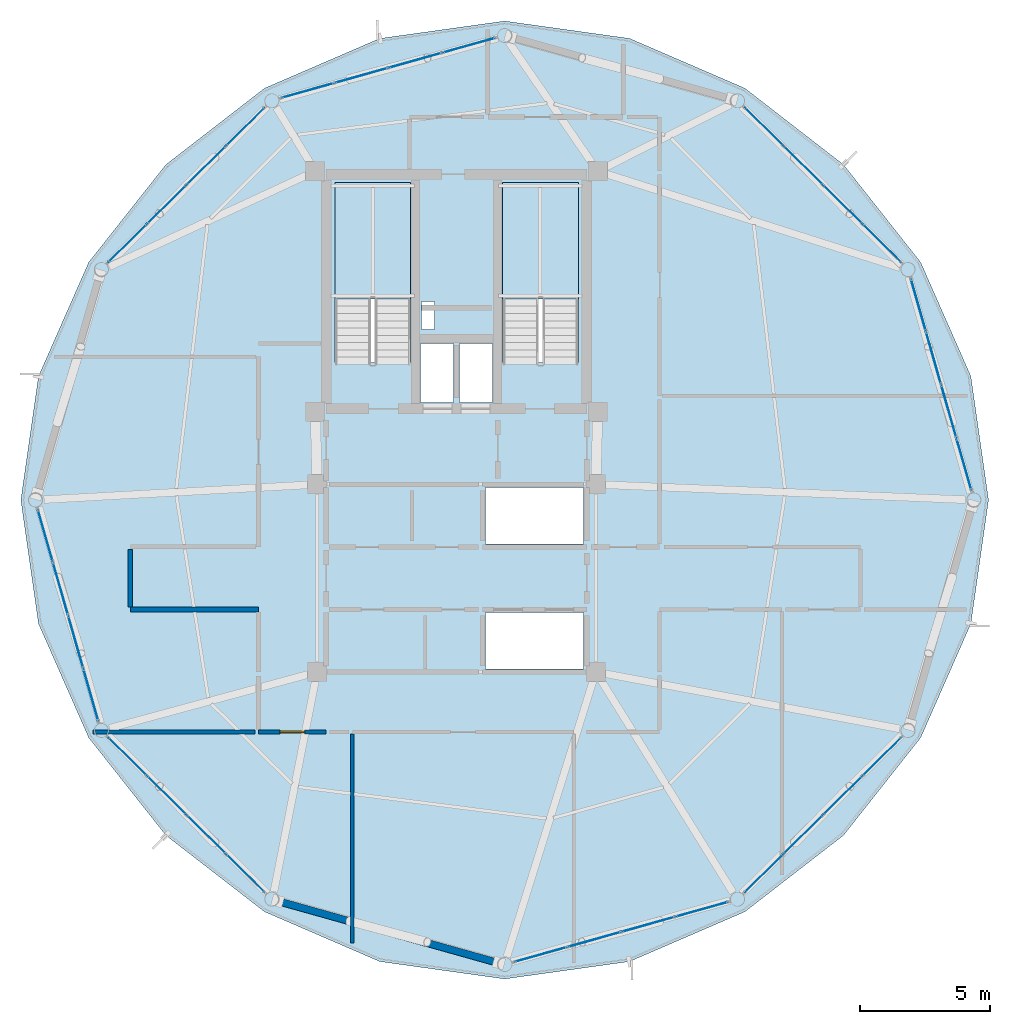
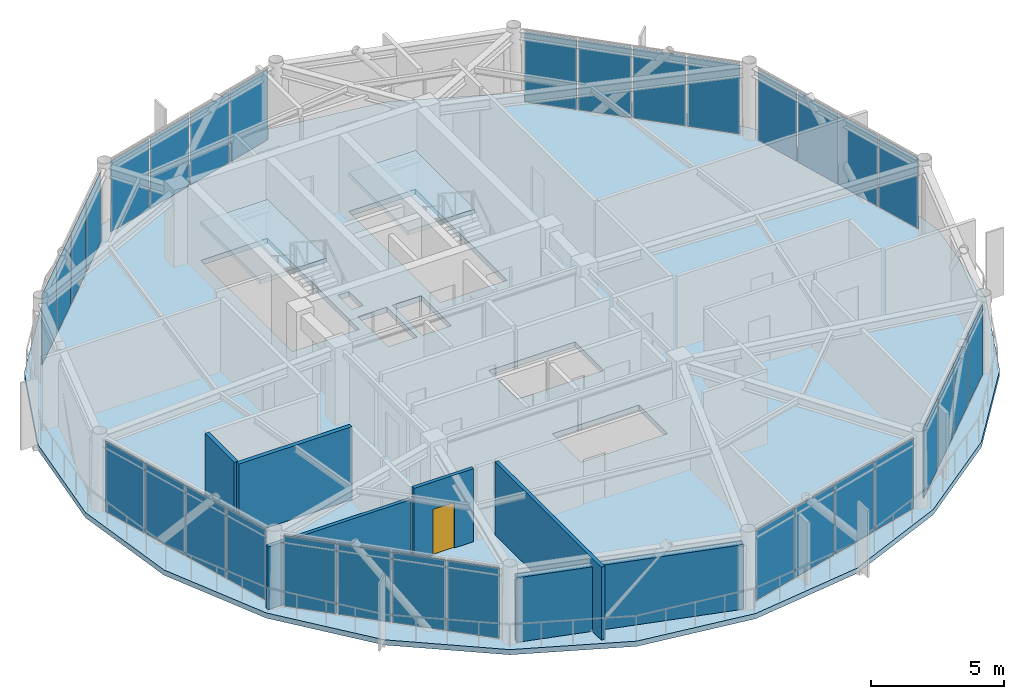
# One storey, part 18 of 24: 32 plates, 6 walls, 3 slabs, 1 door, 1 opening, 10 elements without a shape of their own.
"""IFC4 building model written with IfcOpenShell, lengths in metres."""

from ifc_helpers import new_model, si_unit, direction, frame, frame_2d, origin, origin_2d, place, context, subcontext, project, spatial, polyline, rectangle, outline, extrude, source, transform, mapped, material, layer, layer_set, type_object, type_shapes, element, fill, aggregate, save


model = new_model("IFC4")

# Units and contexts
model_context = context("Model", 3, precision=1e-05, world=origin(), true_north=direction((0.0, 1.0)))
body_context = subcontext(model_context, "Body", "Model", "MODEL_VIEW")
ifc_project = project(units=[si_unit("LENGTHUNIT", "METRE"), si_unit("AREAUNIT", "SQUARE_METRE"), si_unit("VOLUMEUNIT", "CUBIC_METRE"), si_unit("PLANEANGLEUNIT", "RADIAN"), si_unit("MASSUNIT", "GRAM", prefix="KILO")], contexts=[model_context])

# Site, building, storey
site_placement = place(None, origin())
site = spatial("IfcSite", under=ifc_project, at=site_placement, CompositionType="ELEMENT")
building_placement = place(site_placement, origin())
building = spatial("IfcBuilding", under=site, at=building_placement, Name="Varnakorn Sky Granary", CompositionType="ELEMENT")
storey_placement = place(building_placement, frame((0.0, 0.0, 274.199951171875)))
storey = spatial("IfcBuildingStorey", under=building, at=storey_placement, Name="L70", CompositionType="ELEMENT", Elevation=274.199951171875)

# Stair, slab
ifc_material_1 = material(Name="Concrete C40/50", Category="concrete")
stair_type = type_object("IfcStairType", Name="ST-MAIN-ASSEMBLY", PredefinedType="HALF_TURN_STAIR", material=ifc_material_1)
stair_1_placement = place(storey_placement, origin())
stair_1 = element("IfcStair", 1, at=stair_1_placement, inside=storey, type_object=stair_type, Name="L70 Protected Exit Stair ST-1", PredefinedType="HALF_TURN_STAIR")
ifc_layer_1 = layer(ifc_material_1, 0.199951171875, Name="Concrete C40/50")
ifc_layer_set_1 = layer_set([ifc_layer_1], Name="Concrete C40/50")
slab_type_1 = type_object("IfcSlabType", Name="ST-MAIN-LAND", PredefinedType="LANDING", material=ifc_layer_set_1)
slab_1_placement = place(storey_placement, frame((0.0, 0.0, 1.60009765625)))
slab_1 = element("IfcSlab", 2, at=slab_1_placement, type_object=slab_type_1, Name="ST-1 landing 1", PredefinedType="LANDING", context=body_context, shape_type="SweptSolid", body=[
    extrude(outline(polyline([(1.239990234375, 7.719970703125), (1.239990234375, 12.179931640625), (-1.669921875, 12.179931640625), (-1.669921875, 7.719970703125), (1.239990234375, 7.719970703125)])), origin(), (0.0, 0.0, 1.0), 0.199951171875),
])
aggregate(stair_1, [slab_1])

stair_2_placement = place(storey_placement, origin())
stair_2 = element("IfcStair", 3, at=stair_2_placement, inside=storey, type_object=stair_type, Name="L70 Protected Exit Stair ST-2", PredefinedType="HALF_TURN_STAIR")
slab_2_placement = place(storey_placement, frame((0.0, 0.0, 1.60009765625)))
slab_2 = element("IfcSlab", 4, at=slab_2_placement, type_object=slab_type_1, Name="ST-2 landing 1", PredefinedType="LANDING", context=body_context, shape_type="SweptSolid", body=[
    extrude(outline(polyline([(7.679931640625, 7.719970703125), (7.679931640625, 12.179931640625), (4.77001953125, 12.179931640625), (4.77001953125, 7.719970703125), (7.679931640625, 7.719970703125)])), origin(), (0.0, 0.0, 1.0), 0.199951171875),
])
aggregate(stair_2, [slab_2])

# Slab
ifc_material_2 = material(Name="Concrete C50/60", Category="concrete")
ifc_layer_2 = layer(ifc_material_2, 0.239990234375, Name="Concrete C50/60")
ifc_layer_set_2 = layer_set([ifc_layer_2], Name="Concrete C50/60")
slab_type_2 = type_object("IfcSlabType", Name="ST-SL-TWR-240", PredefinedType="FLOOR", material=ifc_layer_set_2)
slab_3_placement = place(storey_placement, frame((0.0, 0.0, -0.239990234375)))
element("IfcSlab", 5, at=slab_3_placement, inside=storey, type_object=slab_type_2, Name="Level L70 Structural Floor Slab", PredefinedType="FLOOR", context=body_context, shape_type="SweptSolid", body=[
    extrude(outline(polyline([(23.4208984375, 0.0), (22.74462890625, 4.74658203125), (20.81591796875, 9.125), (17.8544921875, 12.872802734375), (14.068115234375, 15.804931640625), (9.64501953125, 17.715087890625), (4.85009765625, 18.385009765625), (0.05517578125, 17.715087890625), (-4.367919921875, 15.804931640625), (-8.154296875, 12.872802734375), (-11.115966796875, 9.125), (-13.044677734375, 4.74658203125), (-13.720947265625, 0.0), (-13.044677734375, -4.74658203125), (-11.115966796875, -9.125), (-8.154296875, -12.872802734375), (-4.367919921875, -15.804931640625), (0.05517578125, -17.715087890625), (4.85009765625, -18.385009765625), (9.64501953125, -17.715087890625), (14.068115234375, -15.804931640625), (17.8544921875, -12.872802734375), (20.81591796875, -9.125), (22.74462890625, -4.74658203125), (23.4208984375, 0.0)]), holes=[polyline([(1.239990234375, 5.27490234375), (1.239990234375, 12.179931640625), (-1.669921875, 12.179931640625), (-1.669921875, 5.27490234375), (1.239990234375, 5.27490234375)]), polyline([(7.679931640625, 5.27490234375), (7.679931640625, 12.179931640625), (4.77001953125, 12.179931640625), (4.77001953125, 5.27490234375), (7.679931640625, 5.27490234375)]), polyline([(1.659912109375, 6.550048828125), (2.14990234375, 6.550048828125), (2.14990234375, 7.6201171875), (1.659912109375, 7.6201171875), (1.659912109375, 6.550048828125)]), polyline([(1.6201171875, 3.739990234375), (2.8798828125, 3.739990234375), (2.8798828125, 6.010009765625), (1.6201171875, 6.010009765625), (1.6201171875, 3.739990234375)]), polyline([(3.1201171875, 3.739990234375), (4.3798828125, 3.739990234375), (4.3798828125, 6.010009765625), (3.1201171875, 6.010009765625), (3.1201171875, 3.739990234375)]), polyline([(4.1201171875, -1.679931640625), (7.8798828125, -1.679931640625), (7.8798828125, 0.47998046875), (4.1201171875, 0.47998046875), (4.1201171875, -1.679931640625)]), polyline([(4.1201171875, -6.47998046875), (7.8798828125, -6.47998046875), (7.8798828125, -4.320068359375), (4.1201171875, -4.320068359375), (4.1201171875, -6.47998046875)])]), origin(), (0.0, 0.0, 1.0), 0.239990234375),
])

# Curtain wall, plates
ifc_material_3 = material(Name="Anodised Bronze Aluminium Alloy 6063-T6", Category="aluminium")
ifc_layer_3 = layer(ifc_material_3, 0.159912109375, Name="Anodised Bronze Aluminium Alloy 6063-T6")
ifc_layer_set_3 = layer_set([ifc_layer_3], Name="Anodised Bronze Aluminium Alloy 6063-T6")
curtain_wall_type = type_object("IfcCurtainWallType", Name="CW-OFF-1", PredefinedType="USERDEFINED", material=ifc_layer_set_3)
curtain_wall_1_placement = place(storey_placement, origin())
curtain_wall_1 = element("IfcCurtainWall", 6, at=curtain_wall_1_placement, inside=storey, type_object=curtain_wall_type, Name="Unitised Curtain Wall CW6 CW-L70-B01", ObjectType="CURTAIN WALL", PredefinedType="USERDEFINED")
ifc_material_4 = material(Name="Low-E Tinted Laminated Glass", Category="glass")
ifc_layer_4 = layer(ifc_material_4, 0.02392578125, Name="Low-E Tinted Laminated Glass")
ifc_layer_set_4 = layer_set([ifc_layer_4], Name="Low-E Tinted Laminated Glass")
plate_type = type_object("IfcPlateType", Name="CW-OFF-1-PNL", PredefinedType="CURTAIN_PANEL")
shared_shape_1 = source(origin(), body_context, "Body", "SweptSolid", [
    extrude(rectangle(XDim=2.033935546875, YDim=0.02392578125, at=origin_2d()), origin(), (0.0, 0.0, 1.0), 3.22998046875),
])
plate_1_placement = place(storey_placement, frame((20.730712890625, 7.4833984375, 0.06494140625), z_axis=(0.0, 0.0, 1.0), x_axis=(0.27498601545, -0.961448226015, 0.0)))
plate_1 = element("IfcPlate", 7, at=plate_1_placement, type_object=plate_type, material=ifc_layer_set_4, Name="CW6 vision glazing unit 1.1", PredefinedType="CURTAIN_PANEL", context=body_context, shape_type="MappedRepresentation", body=[
    mapped(shared_shape_1, transform((0.0, 0.0, 0.0), x_axis=(1.0, 0.0, 0.0), y_axis=(0.0, 1.0, 0.0), z_axis=(0.0, 0.0, 1.0), scale=1.0)),
])
plate_2_placement = place(storey_placement, frame((22.47998046875, 1.36669921875, 0.06494140625), z_axis=(0.0, 0.0, 1.0), x_axis=(0.27498601545, -0.961448226015, 0.0)))
plate_2 = element("IfcPlate", 8, at=plate_2_placement, type_object=plate_type, material=ifc_layer_set_4, Name="CW6 vision glazing unit 4.1", PredefinedType="CURTAIN_PANEL", context=body_context, shape_type="MappedRepresentation", body=[
    mapped(shared_shape_1, transform((0.0, 0.0, 0.0), x_axis=(1.0, 0.0, 0.0), y_axis=(0.0, 1.0, 0.0), z_axis=(0.0, 0.0, 1.0), scale=1.0)),
])

curtain_wall_2_placement = place(storey_placement, origin())
curtain_wall_2 = element("IfcCurtainWall", 9, at=curtain_wall_2_placement, inside=storey, type_object=curtain_wall_type, Name="Unitised Curtain Wall CW6 CW-L70-B07", ObjectType="CURTAIN WALL", PredefinedType="USERDEFINED")
plate_3_placement = place(storey_placement, frame((-11.030517578125, -7.4833984375, 0.06494140625), z_axis=(0.0, 0.0, 1.0), x_axis=(-0.27498601545, 0.961448226015, 0.0)))
plate_3 = element("IfcPlate", 10, at=plate_3_placement, type_object=plate_type, material=ifc_layer_set_4, Name="CW6 vision glazing unit 1.1", PredefinedType="CURTAIN_PANEL", context=body_context, shape_type="MappedRepresentation", body=[
    mapped(shared_shape_1, transform((0.0, 0.0, 0.0), x_axis=(1.0, 0.0, 0.0), y_axis=(0.0, 1.0, 0.0), z_axis=(0.0, 0.0, 1.0), scale=1.0)),
])
plate_4_placement = place(storey_placement, frame((-12.780029296875, -1.36669921875, 0.06494140625), z_axis=(0.0, 0.0, 1.0), x_axis=(-0.27498601545, 0.961448226015, 0.0)))
plate_4 = element("IfcPlate", 11, at=plate_4_placement, type_object=plate_type, material=ifc_layer_set_4, Name="CW6 vision glazing unit 4.1", PredefinedType="CURTAIN_PANEL", context=body_context, shape_type="MappedRepresentation", body=[
    mapped(shared_shape_1, transform((0.0, 0.0, 0.0), x_axis=(1.0, 0.0, 0.0), y_axis=(0.0, 1.0, 0.0), z_axis=(0.0, 0.0, 1.0), scale=1.0)),
])

# Plate
ifc_material_5 = material(Name="Opaque Insulated Aluminium Shadow-Box Unit", Category="aluminium")
ifc_layer_5 = layer(ifc_material_5, 0.02392578125, Name="Opaque Insulated Aluminium Shadow-Box Unit")
ifc_layer_set_5 = layer_set([ifc_layer_5], Name="Opaque Insulated Aluminium Shadow-Box Unit")
shared_shape_2 = source(origin(), body_context, "Body", "SweptSolid", [
    extrude(rectangle(XDim=2.06640625, YDim=0.02392578125, at=origin_2d()), origin(), (0.0, 0.0, 1.0), 3.22998046875),
])
plate_5_placement = place(storey_placement, frame((21.312255859375, 5.44970703125, 0.06494140625), z_axis=(0.0, 0.0, 1.0), x_axis=(0.27498601545, -0.961448226015, 0.0)))
plate_5 = element("IfcPlate", 12, at=plate_5_placement, type_object=plate_type, material=ifc_layer_set_5, Name="CW6 opaque insulated shadow-box unit 2.1", PredefinedType="CURTAIN_PANEL", context=body_context, shape_type="MappedRepresentation", body=[
    mapped(shared_shape_2, transform((0.0, 0.0, 0.0), x_axis=(1.0, 0.0, 0.0), y_axis=(0.0, 1.0, 0.0), z_axis=(0.0, 0.0, 1.0), scale=1.0)),
])

plate_6_placement = place(storey_placement, frame((21.8984375, 3.400390625, 0.06494140625), z_axis=(0.0, 0.0, 1.0), x_axis=(0.27498601545, -0.961448226015, 0.0)))
plate_6 = element("IfcPlate", 13, at=plate_6_placement, type_object=plate_type, material=ifc_layer_set_5, Name="CW6 opaque insulated shadow-box unit 3.1", PredefinedType="CURTAIN_PANEL", context=body_context, shape_type="MappedRepresentation", body=[
    mapped(shared_shape_2, transform((0.0, 0.0, 0.0), x_axis=(1.0, 0.0, 0.0), y_axis=(0.0, 1.0, 0.0), z_axis=(0.0, 0.0, 1.0), scale=1.0)),
])

aggregate(curtain_wall_1, [plate_1, plate_5, plate_6, plate_2])

plate_7_placement = place(storey_placement, frame((-11.6123046875, -5.44970703125, 0.06494140625), z_axis=(0.0, 0.0, 1.0), x_axis=(-0.27498601545, 0.961448226015, 0.0)))
plate_7 = element("IfcPlate", 14, at=plate_7_placement, type_object=plate_type, material=ifc_layer_set_5, Name="CW6 opaque insulated shadow-box unit 2.1", PredefinedType="CURTAIN_PANEL", context=body_context, shape_type="MappedRepresentation", body=[
    mapped(shared_shape_2, transform((0.0, 0.0, 0.0), x_axis=(1.0, 0.0, 0.0), y_axis=(0.0, 1.0, 0.0), z_axis=(0.0, 0.0, 1.0), scale=1.0)),
])

plate_8_placement = place(storey_placement, frame((-12.198486328125, -3.400390625, 0.06494140625), z_axis=(0.0, 0.0, 1.0), x_axis=(-0.27498601545, 0.961448226015, 0.0)))
plate_8 = element("IfcPlate", 15, at=plate_8_placement, type_object=plate_type, material=ifc_layer_set_5, Name="CW6 opaque insulated shadow-box unit 3.1", PredefinedType="CURTAIN_PANEL", context=body_context, shape_type="MappedRepresentation", body=[
    mapped(shared_shape_2, transform((0.0, 0.0, 0.0), x_axis=(1.0, 0.0, 0.0), y_axis=(0.0, 1.0, 0.0), z_axis=(0.0, 0.0, 1.0), scale=1.0)),
])

aggregate(curtain_wall_2, [plate_3, plate_7, plate_8, plate_4])

# Curtain wall, plates
curtain_wall_3_placement = place(storey_placement, origin())
curtain_wall_3 = element("IfcCurtainWall", 16, at=curtain_wall_3_placement, inside=storey, type_object=curtain_wall_type, Name="Unitised Curtain Wall CW6 CW-L70-B02", ObjectType="CURTAIN WALL", PredefinedType="USERDEFINED")
shared_shape_3 = source(origin(), body_context, "Body", "SweptSolid", [
    extrude(rectangle(XDim=2.035400390625, YDim=0.02392578125, at=origin_2d()), origin(), (0.0, 0.0, 1.0), 3.22998046875),
])
plate_9_placement = place(storey_placement, frame((14.803955078125, 14.328125, 0.06494140625), z_axis=(0.0, 0.0, 1.0), x_axis=(0.710795200993, -0.703399020646, 0.0)))
plate_9 = element("IfcPlate", 17, at=plate_9_placement, type_object=plate_type, material=ifc_layer_set_4, Name="CW6 vision glazing unit 1.1", PredefinedType="CURTAIN_PANEL", context=body_context, shape_type="MappedRepresentation", body=[
    mapped(shared_shape_3, transform((0.0, 0.0, 0.0), x_axis=(1.0, 0.0, 0.0), y_axis=(0.0, 1.0, 0.0), z_axis=(0.0, 0.0, 1.0), scale=1.0)),
])
plate_10_placement = place(storey_placement, frame((19.328857421875, 9.850341796875, 0.06494140625), z_axis=(0.0, 0.0, 1.0), x_axis=(0.710795200993, -0.703399020646, 0.0)))
plate_10 = element("IfcPlate", 18, at=plate_10_placement, type_object=plate_type, material=ifc_layer_set_4, Name="CW6 vision glazing unit 4.1", PredefinedType="CURTAIN_PANEL", context=body_context, shape_type="MappedRepresentation", body=[
    mapped(shared_shape_3, transform((0.0, 0.0, 0.0), x_axis=(1.0, 0.0, 0.0), y_axis=(0.0, 1.0, 0.0), z_axis=(0.0, 0.0, 1.0), scale=1.0)),
])

curtain_wall_4_placement = place(storey_placement, origin())
curtain_wall_4 = element("IfcCurtainWall", 19, at=curtain_wall_4_placement, inside=storey, type_object=curtain_wall_type, Name="Unitised Curtain Wall CW6 CW-L70-B05", ObjectType="CURTAIN WALL", PredefinedType="USERDEFINED")
plate_11_placement = place(storey_placement, frame((-9.62890625, 9.850341796875, 0.06494140625), z_axis=(0.0, 0.0, 1.0), x_axis=(0.710795200993, 0.703399020646, 0.0)))
plate_11 = element("IfcPlate", 20, at=plate_11_placement, type_object=plate_type, material=ifc_layer_set_4, Name="CW6 vision glazing unit 1.1", PredefinedType="CURTAIN_PANEL", context=body_context, shape_type="MappedRepresentation", body=[
    mapped(shared_shape_3, transform((0.0, 0.0, 0.0), x_axis=(1.0, 0.0, 0.0), y_axis=(0.0, 1.0, 0.0), z_axis=(0.0, 0.0, 1.0), scale=1.0)),
])
plate_12_placement = place(storey_placement, frame((-5.103759765625, 14.328125, 0.06494140625), z_axis=(0.0, 0.0, 1.0), x_axis=(0.710795200993, 0.703399020646, 0.0)))
plate_12 = element("IfcPlate", 21, at=plate_12_placement, type_object=plate_type, material=ifc_layer_set_4, Name="CW6 vision glazing unit 4.1", PredefinedType="CURTAIN_PANEL", context=body_context, shape_type="MappedRepresentation", body=[
    mapped(shared_shape_3, transform((0.0, 0.0, 0.0), x_axis=(1.0, 0.0, 0.0), y_axis=(0.0, 1.0, 0.0), z_axis=(0.0, 0.0, 1.0), scale=1.0)),
])

curtain_wall_5_placement = place(storey_placement, origin())
curtain_wall_5 = element("IfcCurtainWall", 22, at=curtain_wall_5_placement, inside=storey, type_object=curtain_wall_type, Name="Unitised Curtain Wall CW6 CW-L70-B08", ObjectType="CURTAIN WALL", PredefinedType="USERDEFINED")
plate_13_placement = place(storey_placement, frame((-5.103759765625, -14.328125, 0.06494140625), z_axis=(0.0, 0.0, 1.0), x_axis=(-0.710795200993, 0.703399020646, 0.0)))
plate_13 = element("IfcPlate", 23, at=plate_13_placement, type_object=plate_type, material=ifc_layer_set_4, Name="CW6 vision glazing unit 1.1", PredefinedType="CURTAIN_PANEL", context=body_context, shape_type="MappedRepresentation", body=[
    mapped(shared_shape_3, transform((0.0, 0.0, 0.0), x_axis=(1.0, 0.0, 0.0), y_axis=(0.0, 1.0, 0.0), z_axis=(0.0, 0.0, 1.0), scale=1.0)),
])
plate_14_placement = place(storey_placement, frame((-9.62890625, -9.850341796875, 0.06494140625), z_axis=(0.0, 0.0, 1.0), x_axis=(-0.710795200993, 0.703399020646, 0.0)))
plate_14 = element("IfcPlate", 24, at=plate_14_placement, type_object=plate_type, material=ifc_layer_set_4, Name="CW6 vision glazing unit 4.1", PredefinedType="CURTAIN_PANEL", context=body_context, shape_type="MappedRepresentation", body=[
    mapped(shared_shape_3, transform((0.0, 0.0, 0.0), x_axis=(1.0, 0.0, 0.0), y_axis=(0.0, 1.0, 0.0), z_axis=(0.0, 0.0, 1.0), scale=1.0)),
])

curtain_wall_6_placement = place(storey_placement, origin())
curtain_wall_6 = element("IfcCurtainWall", 25, at=curtain_wall_6_placement, inside=storey, type_object=curtain_wall_type, Name="Unitised Curtain Wall CW6 CW-L70-B11", ObjectType="CURTAIN WALL", PredefinedType="USERDEFINED")
plate_15_placement = place(storey_placement, frame((19.328857421875, -9.850341796875, 0.06494140625), z_axis=(0.0, 0.0, 1.0), x_axis=(-0.710795200993, -0.703399020646, 0.0)))
plate_15 = element("IfcPlate", 26, at=plate_15_placement, type_object=plate_type, material=ifc_layer_set_4, Name="CW6 vision glazing unit 1.1", PredefinedType="CURTAIN_PANEL", context=body_context, shape_type="MappedRepresentation", body=[
    mapped(shared_shape_3, transform((0.0, 0.0, 0.0), x_axis=(1.0, 0.0, 0.0), y_axis=(0.0, 1.0, 0.0), z_axis=(0.0, 0.0, 1.0), scale=1.0)),
])
plate_16_placement = place(storey_placement, frame((14.803955078125, -14.328125, 0.06494140625), z_axis=(0.0, 0.0, 1.0), x_axis=(-0.710795200993, -0.703399020646, 0.0)))
plate_16 = element("IfcPlate", 27, at=plate_16_placement, type_object=plate_type, material=ifc_layer_set_4, Name="CW6 vision glazing unit 4.1", PredefinedType="CURTAIN_PANEL", context=body_context, shape_type="MappedRepresentation", body=[
    mapped(shared_shape_3, transform((0.0, 0.0, 0.0), x_axis=(1.0, 0.0, 0.0), y_axis=(0.0, 1.0, 0.0), z_axis=(0.0, 0.0, 1.0), scale=1.0)),
])

# Plate
shared_shape_4 = source(origin(), body_context, "Body", "SweptSolid", [
    extrude(rectangle(XDim=2.06787109375, YDim=0.02392578125, at=origin_2d()), origin(), (0.0, 0.0, 1.0), 3.22998046875),
])
plate_17_placement = place(storey_placement, frame((16.308349609375, 12.83935546875, 0.06494140625), z_axis=(0.0, 0.0, 1.0), x_axis=(0.710795200993, -0.703399020646, 0.0)))
plate_17 = element("IfcPlate", 28, at=plate_17_placement, type_object=plate_type, material=ifc_layer_set_5, Name="CW6 opaque insulated shadow-box unit 2.1", PredefinedType="CURTAIN_PANEL", context=body_context, shape_type="MappedRepresentation", body=[
    mapped(shared_shape_4, transform((0.0, 0.0, 0.0), x_axis=(1.0, 0.0, 0.0), y_axis=(0.0, 1.0, 0.0), z_axis=(0.0, 0.0, 1.0), scale=1.0)),
])

plate_18_placement = place(storey_placement, frame((17.824462890625, 11.339111328125, 0.06494140625), z_axis=(0.0, 0.0, 1.0), x_axis=(0.710795200993, -0.703399020646, 0.0)))
plate_18 = element("IfcPlate", 29, at=plate_18_placement, type_object=plate_type, material=ifc_layer_set_5, Name="CW6 opaque insulated shadow-box unit 3.1", PredefinedType="CURTAIN_PANEL", context=body_context, shape_type="MappedRepresentation", body=[
    mapped(shared_shape_4, transform((0.0, 0.0, 0.0), x_axis=(1.0, 0.0, 0.0), y_axis=(0.0, 1.0, 0.0), z_axis=(0.0, 0.0, 1.0), scale=1.0)),
])

aggregate(curtain_wall_3, [plate_9, plate_17, plate_18, plate_10])

plate_19_placement = place(storey_placement, frame((-8.124267578125, 11.339111328125, 0.06494140625), z_axis=(0.0, 0.0, 1.0), x_axis=(0.710795200993, 0.703399020646, 0.0)))
plate_19 = element("IfcPlate", 30, at=plate_19_placement, type_object=plate_type, material=ifc_layer_set_5, Name="CW6 opaque insulated shadow-box unit 2.1", PredefinedType="CURTAIN_PANEL", context=body_context, shape_type="MappedRepresentation", body=[
    mapped(shared_shape_4, transform((0.0, 0.0, 0.0), x_axis=(1.0, 0.0, 0.0), y_axis=(0.0, 1.0, 0.0), z_axis=(0.0, 0.0, 1.0), scale=1.0)),
])

plate_20_placement = place(storey_placement, frame((-6.6083984375, 12.83935546875, 0.06494140625), z_axis=(0.0, 0.0, 1.0), x_axis=(0.710795200993, 0.703399020646, 0.0)))
plate_20 = element("IfcPlate", 31, at=plate_20_placement, type_object=plate_type, material=ifc_layer_set_5, Name="CW6 opaque insulated shadow-box unit 3.1", PredefinedType="CURTAIN_PANEL", context=body_context, shape_type="MappedRepresentation", body=[
    mapped(shared_shape_4, transform((0.0, 0.0, 0.0), x_axis=(1.0, 0.0, 0.0), y_axis=(0.0, 1.0, 0.0), z_axis=(0.0, 0.0, 1.0), scale=1.0)),
])

aggregate(curtain_wall_4, [plate_11, plate_19, plate_20, plate_12])

plate_21_placement = place(storey_placement, frame((-6.6083984375, -12.83935546875, 0.06494140625), z_axis=(0.0, 0.0, 1.0), x_axis=(-0.710795200993, 0.703399020646, 0.0)))
plate_21 = element("IfcPlate", 32, at=plate_21_placement, type_object=plate_type, material=ifc_layer_set_5, Name="CW6 opaque insulated shadow-box unit 2.1", PredefinedType="CURTAIN_PANEL", context=body_context, shape_type="MappedRepresentation", body=[
    mapped(shared_shape_4, transform((0.0, 0.0, 0.0), x_axis=(1.0, 0.0, 0.0), y_axis=(0.0, 1.0, 0.0), z_axis=(0.0, 0.0, 1.0), scale=1.0)),
])

plate_22_placement = place(storey_placement, frame((-8.124267578125, -11.339111328125, 0.06494140625), z_axis=(0.0, 0.0, 1.0), x_axis=(-0.710795200993, 0.703399020646, 0.0)))
plate_22 = element("IfcPlate", 33, at=plate_22_placement, type_object=plate_type, material=ifc_layer_set_5, Name="CW6 opaque insulated shadow-box unit 3.1", PredefinedType="CURTAIN_PANEL", context=body_context, shape_type="MappedRepresentation", body=[
    mapped(shared_shape_4, transform((0.0, 0.0, 0.0), x_axis=(1.0, 0.0, 0.0), y_axis=(0.0, 1.0, 0.0), z_axis=(0.0, 0.0, 1.0), scale=1.0)),
])

aggregate(curtain_wall_5, [plate_13, plate_21, plate_22, plate_14])

plate_23_placement = place(storey_placement, frame((17.824462890625, -11.339111328125, 0.06494140625), z_axis=(0.0, 0.0, 1.0), x_axis=(-0.710795200993, -0.703399020646, 0.0)))
plate_23 = element("IfcPlate", 34, at=plate_23_placement, type_object=plate_type, material=ifc_layer_set_5, Name="CW6 opaque insulated shadow-box unit 2.1", PredefinedType="CURTAIN_PANEL", context=body_context, shape_type="MappedRepresentation", body=[
    mapped(shared_shape_4, transform((0.0, 0.0, 0.0), x_axis=(1.0, 0.0, 0.0), y_axis=(0.0, 1.0, 0.0), z_axis=(0.0, 0.0, 1.0), scale=1.0)),
])

plate_24_placement = place(storey_placement, frame((16.308349609375, -12.83935546875, 0.06494140625), z_axis=(0.0, 0.0, 1.0), x_axis=(-0.710795200993, -0.703399020646, 0.0)))
plate_24 = element("IfcPlate", 35, at=plate_24_placement, type_object=plate_type, material=ifc_layer_set_5, Name="CW6 opaque insulated shadow-box unit 3.1", PredefinedType="CURTAIN_PANEL", context=body_context, shape_type="MappedRepresentation", body=[
    mapped(shared_shape_4, transform((0.0, 0.0, 0.0), x_axis=(1.0, 0.0, 0.0), y_axis=(0.0, 1.0, 0.0), z_axis=(0.0, 0.0, 1.0), scale=1.0)),
])

aggregate(curtain_wall_6, [plate_15, plate_23, plate_24, plate_16])

# Curtain wall, plates
curtain_wall_7_placement = place(storey_placement, origin())
curtain_wall_7 = element("IfcCurtainWall", 36, at=curtain_wall_7_placement, inside=storey, type_object=curtain_wall_type, Name="Unitised Curtain Wall CW6 CW-L70-B04", ObjectType="CURTAIN WALL", PredefinedType="USERDEFINED")
shared_shape_5 = source(origin(), body_context, "Body", "SweptSolid", [
    extrude(rectangle(XDim=2.0546875, YDim=0.02392578125, at=origin_2d()), origin(), (0.0, 0.0, 1.0), 3.22998046875),
])
plate_25_placement = place(storey_placement, frame((-2.71435546875, 15.715087890625, 0.06494140625), z_axis=(0.0, 0.0, 1.0), x_axis=(0.962896911916, 0.269869481459, 0.0)))
plate_25 = element("IfcPlate", 37, at=plate_25_placement, type_object=plate_type, material=ifc_layer_set_4, Name="CW6 vision glazing unit 1.1", PredefinedType="CURTAIN_PANEL", context=body_context, shape_type="MappedRepresentation", body=[
    mapped(shared_shape_5, transform((0.0, 0.0, 0.0), x_axis=(1.0, 0.0, 0.0), y_axis=(0.0, 1.0, 0.0), z_axis=(0.0, 0.0, 1.0), scale=1.0)),
])
plate_26_placement = place(storey_placement, frame((3.47119140625, 17.44873046875, 0.06494140625), z_axis=(0.0, 0.0, 1.0), x_axis=(0.962896911916, 0.269869481459, 0.0)))
plate_26 = element("IfcPlate", 38, at=plate_26_placement, type_object=plate_type, material=ifc_layer_set_4, Name="CW6 vision glazing unit 4.1", PredefinedType="CURTAIN_PANEL", context=body_context, shape_type="MappedRepresentation", body=[
    mapped(shared_shape_5, transform((0.0, 0.0, 0.0), x_axis=(1.0, 0.0, 0.0), y_axis=(0.0, 1.0, 0.0), z_axis=(0.0, 0.0, 1.0), scale=1.0)),
])

curtain_wall_8_placement = place(storey_placement, origin())
curtain_wall_8 = element("IfcCurtainWall", 39, at=curtain_wall_8_placement, inside=storey, type_object=curtain_wall_type, Name="Unitised Curtain Wall CW6 CW-L70-B10", ObjectType="CURTAIN WALL", PredefinedType="USERDEFINED")
plate_27_placement = place(storey_placement, frame((12.414306640625, -15.715087890625, 0.06494140625), z_axis=(0.0, 0.0, 1.0), x_axis=(-0.962896911916, -0.269869481459, 0.0)))
plate_27 = element("IfcPlate", 40, at=plate_27_placement, type_object=plate_type, material=ifc_layer_set_4, Name="CW6 vision glazing unit 1.1", PredefinedType="CURTAIN_PANEL", context=body_context, shape_type="MappedRepresentation", body=[
    mapped(shared_shape_5, transform((0.0, 0.0, 0.0), x_axis=(1.0, 0.0, 0.0), y_axis=(0.0, 1.0, 0.0), z_axis=(0.0, 0.0, 1.0), scale=1.0)),
])
plate_28_placement = place(storey_placement, frame((6.228759765625, -17.44873046875, 0.06494140625), z_axis=(0.0, 0.0, 1.0), x_axis=(-0.962896911916, -0.269869481459, 0.0)))
plate_28 = element("IfcPlate", 41, at=plate_28_placement, type_object=plate_type, material=ifc_layer_set_4, Name="CW6 vision glazing unit 4.1", PredefinedType="CURTAIN_PANEL", context=body_context, shape_type="MappedRepresentation", body=[
    mapped(shared_shape_5, transform((0.0, 0.0, 0.0), x_axis=(1.0, 0.0, 0.0), y_axis=(0.0, 1.0, 0.0), z_axis=(0.0, 0.0, 1.0), scale=1.0)),
])

# Plate
shared_shape_6 = source(origin(), body_context, "Body", "SweptSolid", [
    extrude(rectangle(XDim=2.087158203125, YDim=0.02392578125, at=origin_2d()), origin(), (0.0, 0.0, 1.0), 3.22998046875),
])
type_shapes(plate_type, [shared_shape_1, shared_shape_2, shared_shape_3, shared_shape_4, shared_shape_5, shared_shape_6])
plate_29_placement = place(storey_placement, frame((-0.65771484375, 16.29150390625, 0.06494140625), z_axis=(0.0, 0.0, 1.0), x_axis=(0.962896911916, 0.269869481459, 0.0)))
plate_29 = element("IfcPlate", 42, at=plate_29_placement, type_object=plate_type, material=ifc_layer_set_5, Name="CW6 opaque insulated shadow-box unit 2.1", PredefinedType="CURTAIN_PANEL", context=body_context, shape_type="MappedRepresentation", body=[
    mapped(shared_shape_6, transform((0.0, 0.0, 0.0), x_axis=(1.0, 0.0, 0.0), y_axis=(0.0, 1.0, 0.0), z_axis=(0.0, 0.0, 1.0), scale=1.0)),
])

plate_30_placement = place(storey_placement, frame((1.41455078125, 16.872314453125, 0.06494140625), z_axis=(0.0, 0.0, 1.0), x_axis=(0.962896911916, 0.269869481459, 0.0)))
plate_30 = element("IfcPlate", 43, at=plate_30_placement, type_object=plate_type, material=ifc_layer_set_5, Name="CW6 opaque insulated shadow-box unit 3.1", PredefinedType="CURTAIN_PANEL", context=body_context, shape_type="MappedRepresentation", body=[
    mapped(shared_shape_6, transform((0.0, 0.0, 0.0), x_axis=(1.0, 0.0, 0.0), y_axis=(0.0, 1.0, 0.0), z_axis=(0.0, 0.0, 1.0), scale=1.0)),
])

aggregate(curtain_wall_7, [plate_25, plate_29, plate_30, plate_26])

plate_31_placement = place(storey_placement, frame((10.357666015625, -16.29150390625, 0.06494140625), z_axis=(0.0, 0.0, 1.0), x_axis=(-0.962896911916, -0.269869481459, 0.0)))
plate_31 = element("IfcPlate", 44, at=plate_31_placement, type_object=plate_type, material=ifc_layer_set_5, Name="CW6 opaque insulated shadow-box unit 2.1", PredefinedType="CURTAIN_PANEL", context=body_context, shape_type="MappedRepresentation", body=[
    mapped(shared_shape_6, transform((0.0, 0.0, 0.0), x_axis=(1.0, 0.0, 0.0), y_axis=(0.0, 1.0, 0.0), z_axis=(0.0, 0.0, 1.0), scale=1.0)),
])

plate_32_placement = place(storey_placement, frame((8.285400390625, -16.872314453125, 0.06494140625), z_axis=(0.0, 0.0, 1.0), x_axis=(-0.962896911916, -0.269869481459, 0.0)))
plate_32 = element("IfcPlate", 45, at=plate_32_placement, type_object=plate_type, material=ifc_layer_set_5, Name="CW6 opaque insulated shadow-box unit 3.1", PredefinedType="CURTAIN_PANEL", context=body_context, shape_type="MappedRepresentation", body=[
    mapped(shared_shape_6, transform((0.0, 0.0, 0.0), x_axis=(1.0, 0.0, 0.0), y_axis=(0.0, 1.0, 0.0), z_axis=(0.0, 0.0, 1.0), scale=1.0)),
])

aggregate(curtain_wall_8, [plate_27, plate_31, plate_32, plate_28])

# Wall
ifc_material_6 = material(Name="Precast concrete C40/50", Category="concrete")
ifc_layer_6 = layer(ifc_material_6, 0.280029296875, Name="Precast concrete C40/50")
ifc_layer_set_6 = layer_set([ifc_layer_6], Name="Precast concrete C40/50")
wall_type_1 = type_object("IfcWallType", Name="WT-EW-CRN-280", PredefinedType="SOLIDWALL", material=ifc_layer_set_6)
wall_1_placement = place(storey_placement, frame((4.624267578125, -17.771728515625, 0.0), z_axis=(0.0, 0.0, 1.0), x_axis=(-0.962896996619, 0.269869179237, 0.0)))
element("IfcWall", 46, at=wall_1_placement, inside=storey, type_object=wall_type_1, Name="Agritech Insulated Precast Facade Wall L70-P09", PredefinedType="SOLIDWALL", context=body_context, shape_type="SweptSolid", body=[
    extrude(rectangle(XDim=8.818603515625, YDim=0.280029296875, at=frame_2d((4.4091796875, 0.0))), origin(), (0.0, 0.0, 1.0), 2.969970703125),
])

# Wall, opening, door
ifc_material_7 = material(Name="Gypsum Plasterboard on Steel Stud", Category="steel")
ifc_layer_7 = layer(ifc_material_7, 0.14990234375, Name="Gypsum Plasterboard on Steel Stud")
ifc_layer_set_7 = layer_set([ifc_layer_7], Name="Gypsum Plasterboard on Steel Stud")
wall_type_2 = type_object("IfcWallType", Name="WT-PART-150", PredefinedType="PARTITIONING", material=ifc_layer_set_7)
wall_2_placement = place(storey_placement, frame((-4.60009765625, -8.89990234375, 0.0), z_axis=(0.0, 0.0, 1.0), x_axis=(1.0, 0.0, 0.0)))
wall_2 = element("IfcWall", 47, at=wall_2_placement, inside=storey, type_object=wall_type_2, Name="Interior Partition Wall L70-020", PredefinedType="PARTITIONING", context=body_context, shape_type="SweptSolid", body=[
    extrude(rectangle(XDim=2.60009765625, YDim=0.14990234375, at=frame_2d((1.300048828125, 0.0))), origin(), (0.0, 0.0, 1.0), 3.360107421875),
])
opening_placement = place(wall_2_placement, frame((0.824951171875, 0.0, 0.0)))
opening = element("IfcOpeningElement", 48, at=opening_placement, cuts=wall_2, Name="Opening ID-95", PredefinedType="OPENING", context=body_context, shape_type="SweptSolid", body=[
    extrude(rectangle(XDim=0.949951171875, YDim=2.10009765625, at=frame_2d((0.47509765625, 1.050048828125))), frame((0.0, 0.0849609375, 0.0), z_axis=(0.0, -1.0, 0.0), x_axis=(1.0, 0.0, 0.0)), (0.0, 0.0, 1.0), 0.169921875),
])
ifc_material_8 = material(Name="Solid-Core Teak Veneer Leaf", Category="timber")
door_type = type_object("IfcDoorType", Name="DR-INT-950", OperationType="NOTDEFINED", PredefinedType="DOOR", material=ifc_material_8)
door_placement = place(opening_placement, origin())
door = element("IfcDoor", 49, at=door_placement, inside=storey, type_object=door_type, Name="Interior Door L70-020-1", OperationType="SINGLE_SWING_LEFT", OverallHeight=2.10009765625, OverallWidth=0.949951171875, PredefinedType="DOOR", context=body_context, shape_type="SweptSolid", body=[
    extrude(rectangle(XDim=0.949951171875, YDim=2.10009765625, at=frame_2d((0.47509765625, 1.050048828125))), frame((0.0, 0.02490234375, 0.0), z_axis=(0.0, -1.0, 0.0), x_axis=(1.0, 0.0, 0.0)), (0.0, 0.0, 1.0), 0.050048828125),
])
fill(opening, door)

# Walls
wall_3_placement = place(storey_placement, frame((-1.0, -8.985107421875, 0.0), z_axis=(0.0, 0.0, 1.0), x_axis=(0.0, -1.0, 0.0)))
element("IfcWall", 50, at=wall_3_placement, inside=storey, type_object=wall_type_2, Name="Interior Partition Wall L70-036", PredefinedType="PARTITIONING", context=body_context, shape_type="SweptSolid", body=[
    extrude(rectangle(XDim=8.015869140625, YDim=0.14990234375, at=frame_2d((4.0078125, 0.0))), origin(), (0.0, 0.0, 1.0), 3.360107421875),
])
wall_4_placement = place(storey_placement, frame((-10.9541015625, -8.89990234375, 0.0), z_axis=(0.0, 0.0, 1.0), x_axis=(1.0, 0.0, 0.0)))
element("IfcWall", 51, at=wall_4_placement, inside=storey, type_object=wall_type_2, Name="Interior Partition Wall L70-037", PredefinedType="PARTITIONING", context=body_context, shape_type="SweptSolid", body=[
    extrude(rectangle(XDim=6.218994140625, YDim=0.14990234375, at=frame_2d((3.109375, 0.0))), origin(), (0.0, 0.0, 1.0), 2.89208984375),
])
ifc_material_9 = material(Name="Moisture-Resistant Gypsum on Stud", Category="gypsum")
ifc_layer_8 = layer(ifc_material_9, 0.179931640625, Name="Moisture-Resistant Gypsum on Stud")
ifc_layer_set_8 = layer_set([ifc_layer_8], Name="Moisture-Resistant Gypsum on Stud")
wall_type_3 = type_object("IfcWallType", Name="WT-PLUMB-180", PredefinedType="PLUMBINGWALL", material=ifc_layer_set_8)
wall_5_placement = place(storey_placement, frame((-9.52099609375, -4.199951171875, 0.0), z_axis=(0.0, 0.0, 1.0), x_axis=(1.0, 0.0, 0.0)))
element("IfcWall", 52, at=wall_5_placement, inside=storey, type_object=wall_type_3, Name="Interior Partition Wall L70-045", PredefinedType="PLUMBINGWALL", context=body_context, shape_type="SweptSolid", body=[
    extrude(rectangle(XDim=4.9208984375, YDim=0.179931640625, at=frame_2d((2.46044921875, 0.0))), origin(), (0.0, 0.0, 1.0), 3.360107421875),
])
wall_6_placement = place(storey_placement, frame((-9.52099609375, -1.89990234375, 0.0), z_axis=(0.0, 0.0, 1.0), x_axis=(0.0, -1.0, 0.0)))
element("IfcWall", 53, at=wall_6_placement, inside=storey, type_object=wall_type_3, Name="Interior Partition Wall L70-046", PredefinedType="PLUMBINGWALL", context=body_context, shape_type="SweptSolid", body=[
    extrude(rectangle(XDim=2.2001953125, YDim=0.179931640625, at=frame_2d((1.10009765625, 0.0))), origin(), (0.0, 0.0, 1.0), 3.360107421875),
])

save(model, "model.ifc")
